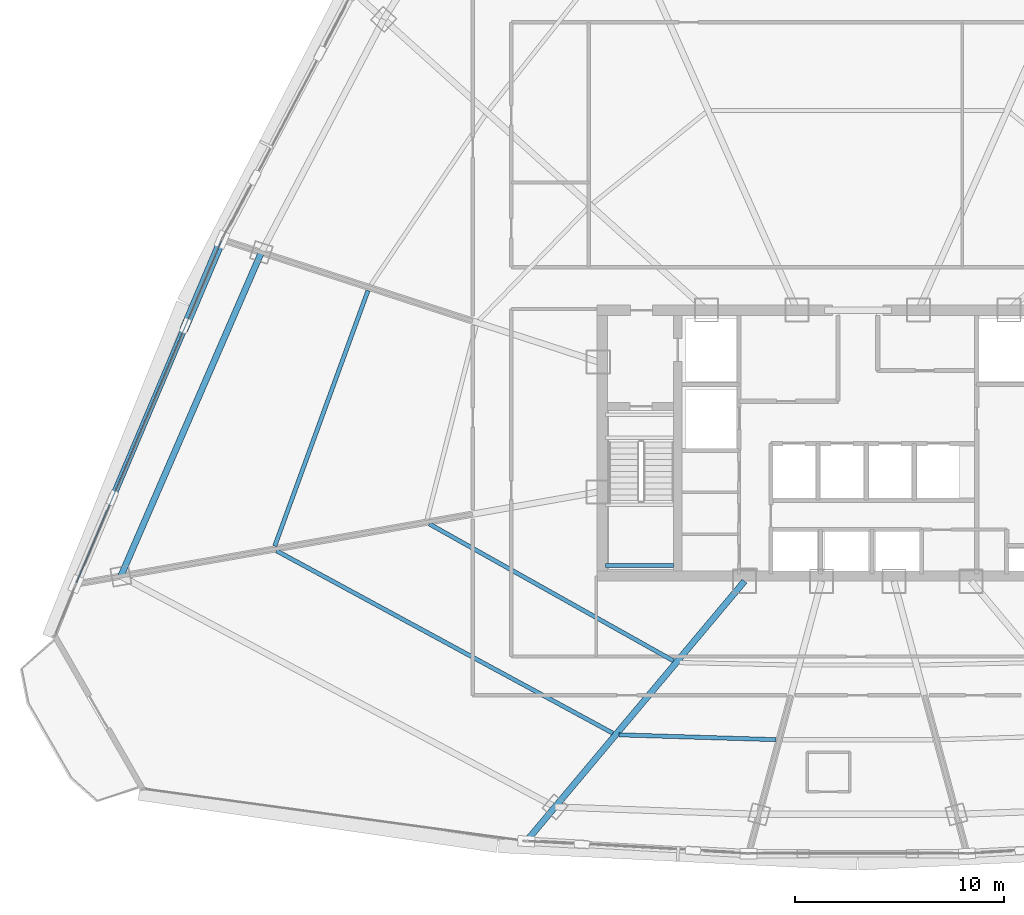
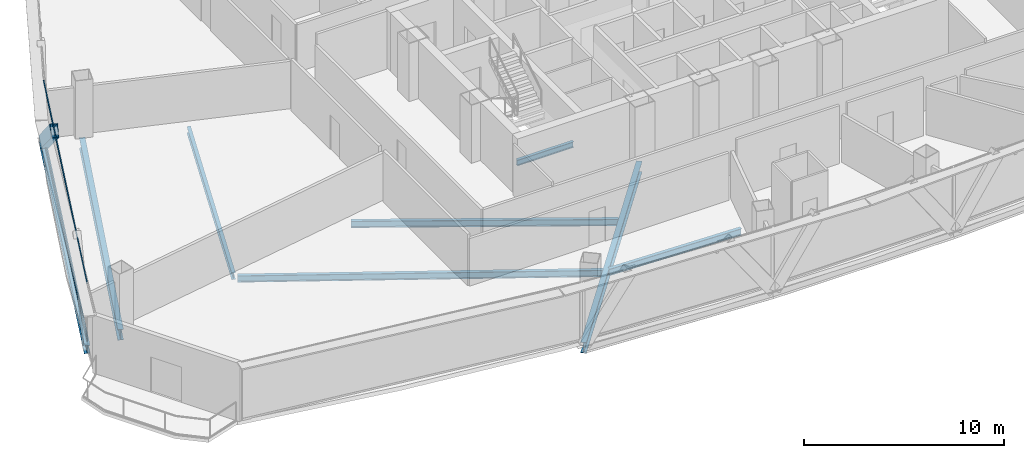
# One storey, part 7 of 37: 8 beams, 3 members, 1 element without a shape of its own.
"""IFC4 building model written with IfcOpenShell, lengths in metres."""

from ifc_helpers import new_model, si_unit, direction, frame, origin, origin_2d, place, context, subcontext, project, spatial, hollow_rectangle, i_section, extrude, source, transform, mapped, material, layer, layer_set, material_profile, profile_set, type_object, element, aggregate, save


model = new_model("IFC4")

# Units and contexts
model_context = context("Model", 3, precision=1e-05, world=origin(), true_north=direction((0.0, 1.0)))
body_context = subcontext(model_context, "Body", "Model", "MODEL_VIEW")
ifc_project = project(units=[si_unit("LENGTHUNIT", "METRE"), si_unit("AREAUNIT", "SQUARE_METRE"), si_unit("VOLUMEUNIT", "CUBIC_METRE"), si_unit("PLANEANGLEUNIT", "RADIAN"), si_unit("MASSUNIT", "GRAM", prefix="KILO"), si_unit("THERMODYNAMICTEMPERATUREUNIT", "KELVIN"), si_unit("POWERUNIT", "WATT")], contexts=[model_context])

# Site, building, storey
site_placement = place(None, origin())
site = spatial("IfcSite", under=ifc_project, at=site_placement, CompositionType="ELEMENT")
building_placement = place(site_placement, origin())
building = spatial("IfcBuilding", under=site, at=building_placement, Name="Yunzhuo Pagoda Commons", CompositionType="ELEMENT")
storey_placement = place(building_placement, frame((0.0, 0.0, 192.360107421875)))
storey = spatial("IfcBuildingStorey", under=building, at=storey_placement, Name="L48", CompositionType="ELEMENT", Elevation=192.360107421875)

# Beams
ifc_material_1 = material(Name="Structural steel Q355B", Category="steel")
ifc_material_profile_1 = material_profile(ifc_material_1, i_section(OverallWidth=0.175048828125, OverallDepth=0.35009765625, WebThickness=0.007080078125, FlangeThickness=0.010986328125, at=origin_2d()), Name="Structural steel Q355B")
ifc_profile_set_1 = profile_set([ifc_material_profile_1], Name="Structural steel Q355B")
beam_type_1 = type_object("IfcBeamType", Name="B-JS2 Joist HN 350x175x7x11", PredefinedType="JOIST", material=ifc_profile_set_1)
shared_shape_1 = source(origin(), body_context, "Body", "SweptSolid", [
    extrude(i_section(OverallWidth=0.175048828125, OverallDepth=0.35009765625, WebThickness=0.007080078125, FlangeThickness=0.010986328125, at=origin_2d()), origin(), (0.0, 0.0, 1.0), 3.25),
])
beam_1_placement = place(storey_placement, frame((35.949951171875, 28.0, 1.52490234375), z_axis=(1.0, 0.0, 0.0), x_axis=(0.0, 1.0, 0.0)))
element("IfcBeam", 1, at=beam_1_placement, inside=storey, type_object=beam_type_1, Name="L48 ST1 landing support beam 54A", PredefinedType="JOIST", context=body_context, shape_type="MappedRepresentation", body=[
    mapped(shared_shape_1, transform((0.0, 0.0, 0.0), scale=1.0)),
])
ifc_material_profile_2 = material_profile(ifc_material_1, i_section(OverallWidth=0.300048828125, OverallDepth=0.64990234375, WebThickness=0.012939453125, FlangeThickness=0.02197265625, at=origin_2d()), Name="Structural steel Q355B")
ifc_profile_set_2 = profile_set([ifc_material_profile_2], Name="Structural steel Q355B")
beam_type_2 = type_object("IfcBeamType", Name="B-RG2 Beam HN 650x300x13x22", PredefinedType="BEAM", material=ifc_profile_set_2)
shared_shape_2 = source(origin(), body_context, "Body", "SweptSolid", [
    extrude(i_section(OverallWidth=0.300048828125, OverallDepth=0.64990234375, WebThickness=0.012939453125, FlangeThickness=0.02197265625, at=origin_2d()), origin(), (0.0, 0.0, 1.0), 16.859619140625),
])
beam_2_placement = place(storey_placement, frame((19.50537109375, 42.95849609375, -0.585205078125), z_axis=(-0.398104384161, -0.917340121935, 0.0), x_axis=(0.917340121935, -0.398104384161, 0.0)))
element("IfcBeam", 2, at=beam_2_placement, inside=storey, type_object=beam_type_2, Name="L48 column-ring beam 11", PredefinedType="BEAM", context=body_context, shape_type="MappedRepresentation", body=[
    mapped(shared_shape_2, transform((0.0, 0.0, 0.0), scale=1.0)),
])
ifc_material_profile_3 = material_profile(ifc_material_1, i_section(OverallWidth=0.199951171875, OverallDepth=0.39990234375, WebThickness=0.008056640625, FlangeThickness=0.012939453125, at=origin_2d()), Name="Structural steel Q355B")
ifc_profile_set_3 = profile_set([ifc_material_profile_3], Name="Structural steel Q355B")
beam_type_3 = type_object("IfcBeamType", Name="B-JS1 Joist HN 400x200x8x13", PredefinedType="JOIST", material=ifc_profile_set_3)
shared_shape_3 = source(origin(), body_context, "Body", "SweptSolid", [
    extrude(i_section(OverallWidth=0.199951171875, OverallDepth=0.39990234375, WebThickness=0.008056640625, FlangeThickness=0.012939453125, at=origin_2d()), origin(), (0.0, 0.0, 1.0), 7.49365234375),
])
beam_3_placement = place(storey_placement, frame((36.593505859375, 19.911865234375, -0.460205078125), z_axis=(0.99952593018, -0.030788226605, 0.0), x_axis=(0.030788226605, 0.99952593018, 0.0)))
element("IfcBeam", 3, at=beam_3_placement, inside=storey, type_object=beam_type_3, Name="L48 composite ring joist 2.1", PredefinedType="JOIST", context=body_context, shape_type="MappedRepresentation", body=[
    mapped(shared_shape_3, transform((0.0, 0.0, 0.0), scale=1.0)),
])
shared_shape_4 = source(origin(), body_context, "Body", "SweptSolid", [
    extrude(i_section(OverallWidth=0.199951171875, OverallDepth=0.39990234375, WebThickness=0.008056640625, FlangeThickness=0.012939453125, at=origin_2d()), origin(), (0.0, 0.0, 1.0), 13.372802734375),
])
beam_4_placement = place(storey_placement, frame((27.5283203125, 29.988037109375, -0.460205078125), z_axis=(0.872150261016, -0.4892381038, 0.0), x_axis=(0.4892381038, 0.872150261016, 0.0)))
element("IfcBeam", 4, at=beam_4_placement, inside=storey, type_object=beam_type_3, Name="L48 composite ring joist 1.12", PredefinedType="JOIST", context=body_context, shape_type="MappedRepresentation", body=[
    mapped(shared_shape_4, transform((0.0, 0.0, 0.0), scale=1.0)),
])
shared_shape_5 = source(origin(), body_context, "Body", "SweptSolid", [
    extrude(i_section(OverallWidth=0.199951171875, OverallDepth=0.39990234375, WebThickness=0.008056640625, FlangeThickness=0.012939453125, at=origin_2d()), origin(), (0.0, 0.0, 1.0), 18.27294921875),
])
beam_5_placement = place(storey_placement, frame((20.2314453125, 28.703125, -0.460205078125), z_axis=(0.879067821824, -0.476696721861, 0.0), x_axis=(0.476696721861, 0.879067821824, 0.0)))
element("IfcBeam", 5, at=beam_5_placement, inside=storey, type_object=beam_type_3, Name="L48 composite ring joist 2.12", PredefinedType="JOIST", context=body_context, shape_type="MappedRepresentation", body=[
    mapped(shared_shape_5, transform((0.0, 0.0, 0.0), scale=1.0)),
])
shared_shape_6 = source(origin(), body_context, "Body", "SweptSolid", [
    extrude(i_section(OverallWidth=0.199951171875, OverallDepth=0.39990234375, WebThickness=0.008056640625, FlangeThickness=0.012939453125, at=origin_2d()), origin(), (0.0, 0.0, 1.0), 12.994873046875),
])
beam_6_placement = place(storey_placement, frame((24.60107421875, 41.1357421875, -0.460205078125), z_axis=(-0.342834977914, -0.939395645039, 0.0), x_axis=(0.939395645039, -0.342834977914, 0.0)))
element("IfcBeam", 6, at=beam_6_placement, inside=storey, type_object=beam_type_3, Name="L48 composite ring joist 2.11", PredefinedType="JOIST", context=body_context, shape_type="MappedRepresentation", body=[
    mapped(shared_shape_6, transform((0.0, 0.0, 0.0), scale=1.0)),
])
shared_shape_7 = source(origin(), body_context, "Body", "SweptSolid", [
    extrude(i_section(OverallWidth=0.300048828125, OverallDepth=0.64990234375, WebThickness=0.012939453125, FlangeThickness=0.02197265625, at=origin_2d()), origin(), (0.0, 0.0, 1.0), 16.0595703125),
])
beam_7_placement = place(storey_placement, frame((32.264892578125, 14.94775390625, -0.585205078125), z_axis=(0.64279447514, 0.766038682267, 0.0), x_axis=(-0.766038682267, 0.64279447514, 0.0)))
element("IfcBeam", 7, at=beam_7_placement, inside=storey, type_object=beam_type_2, Name="L48 radial floor girder F1C1", PredefinedType="BEAM", context=body_context, shape_type="MappedRepresentation", body=[
    mapped(shared_shape_7, transform((0.0, 0.0, 0.0), scale=1.0)),
])
ifc_material_profile_4 = material_profile(ifc_material_1, i_section(OverallWidth=0.300048828125, OverallDepth=0.488037109375, WebThickness=0.010986328125, FlangeThickness=0.01806640625, at=origin_2d()), Name="Structural steel Q355B")
ifc_profile_set_4 = profile_set([ifc_material_profile_4], Name="Structural steel Q355B")
beam_type_4 = type_object("IfcBeamType", Name="B-SP1 Beam HM 488x300x11x18", PredefinedType="BEAM", material=ifc_profile_set_4)
shared_shape_8 = source(origin(), body_context, "Body", "SweptSolid", [
    extrude(i_section(OverallWidth=0.300048828125, OverallDepth=0.488037109375, WebThickness=0.010986328125, FlangeThickness=0.01806640625, at=origin_2d()), origin(), (0.0, 0.0, 1.0), 17.874267578125),
])
beam_8_placement = place(storey_placement, frame((17.623779296875, 43.56982421875, -0.504150390625), z_axis=(-0.390352355203, -0.920665541219, 0.0), x_axis=(0.920665541219, -0.390352355203, 0.0)))
element("IfcBeam", 8, at=beam_8_placement, inside=storey, type_object=beam_type_4, Name="L48 facade edge spandrel beam F3.3", PredefinedType="BEAM", context=body_context, shape_type="MappedRepresentation", body=[
    mapped(shared_shape_8, transform((0.0, 0.0, 0.0), scale=1.0)),
])

# Member
ifc_material_profile_5 = material_profile(ifc_material_1, hollow_rectangle(XDim=0.39990234375, YDim=0.719970703125, WallThickness=0.02392578125, at=origin_2d()), Name="Structural steel Q355B")
ifc_profile_set_5 = profile_set([ifc_material_profile_5], Name="Structural steel Q355B")
member_type_1 = type_object("IfcMemberType", Name="M-DL2 Brace BOX 720x400x24", PredefinedType="BRACE", material=ifc_profile_set_5)
shared_shape_9 = source(origin(), body_context, "Body", "SweptSolid", [
    extrude(hollow_rectangle(XDim=0.39990234375, YDim=0.719970703125, WallThickness=0.02392578125, at=origin_2d()), origin(), (0.0, 0.0, 1.0), 5.865478515625),
])
member_1_placement = place(storey_placement, frame((17.623779296875, 43.56982421875, -0.260009765625), z_axis=(-0.297357768108, -0.701354758204, 0.647827030071), x_axis=(0.920669861441, -0.390342165586, 0.0)))
element("IfcMember", 9, at=member_1_placement, inside=storey, type_object=member_type_1, Name="L48 facade diamond brace F3.3L", PredefinedType="BRACE", context=body_context, shape_type="MappedRepresentation", body=[
    mapped(shared_shape_9, transform((0.0, 0.0, 0.0), scale=1.0)),
])

# Curtain wall, members
ifc_material_2 = material(Name="Anodized aluminium 6063-T6", Category="aluminium")
ifc_layer = layer(ifc_material_2, 0.14990234375)
ifc_layer_set = layer_set([ifc_layer], Name="Anodized aluminium 6063-T6")
curtain_wall_type = type_object("IfcCurtainWallType", Name="CW-MID Mid-Zone Ribbon Curtain Wall", PredefinedType="NOTDEFINED", material=ifc_layer_set)
curtain_wall_placement = place(storey_placement, origin())
curtain_wall = element("IfcCurtainWall", 10, at=curtain_wall_placement, inside=storey, type_object=curtain_wall_type, Name="L48 curtain wall CW-L48-F3B4", PredefinedType="NOTDEFINED")
ifc_material_profile_6 = material_profile(ifc_material_2, hollow_rectangle(XDim=0.054931640625, YDim=0.1298828125, WallThickness=0.00341796875, at=origin_2d()), Name="Anodized aluminium 6063-T6")
ifc_profile_set_6 = profile_set([ifc_material_profile_6], Name="Anodized aluminium 6063-T6")
member_type_2 = type_object("IfcMemberType", Name="CW-MID-T Transom RHS 130x55x3.5", PredefinedType="USERDEFINED", material=ifc_profile_set_6)
shared_shape_10 = source(origin(), body_context, "Body", "SweptSolid", [
    extrude(hollow_rectangle(XDim=0.054931640625, YDim=0.1298828125, WallThickness=0.00341796875, at=origin_2d()), origin(), (0.0, 0.0, 1.0), 17.754150390625),
])
member_2_placement = place(storey_placement, frame((17.600341796875, 43.5146484375, 0.02734375), z_axis=(-0.39035313802, -0.920665209312, 0.0), x_axis=(0.920665209312, -0.39035313802, 0.0)))
member_2 = element("IfcMember", 11, at=member_2_placement, type_object=member_type_2, Name="CW transom 1.1", ObjectType="TRANSOM", PredefinedType="USERDEFINED", context=body_context, shape_type="MappedRepresentation", body=[
    mapped(shared_shape_10, transform((0.0, 0.0, 0.0), scale=1.0)),
])
member_3_placement = place(storey_placement, frame((17.600341796875, 43.5146484375, 3.512451171875), z_axis=(-0.39035313802, -0.920665209312, 0.0), x_axis=(0.920665209312, -0.39035313802, 0.0)))
member_3 = element("IfcMember", 12, at=member_3_placement, type_object=member_type_2, Name="CW transom 1.2", ObjectType="TRANSOM", PredefinedType="USERDEFINED", context=body_context, shape_type="MappedRepresentation", body=[
    mapped(shared_shape_10, transform((0.0, 0.0, 0.0), scale=1.0)),
])
aggregate(curtain_wall, [member_2, member_3])

save(model, "model.ifc")
